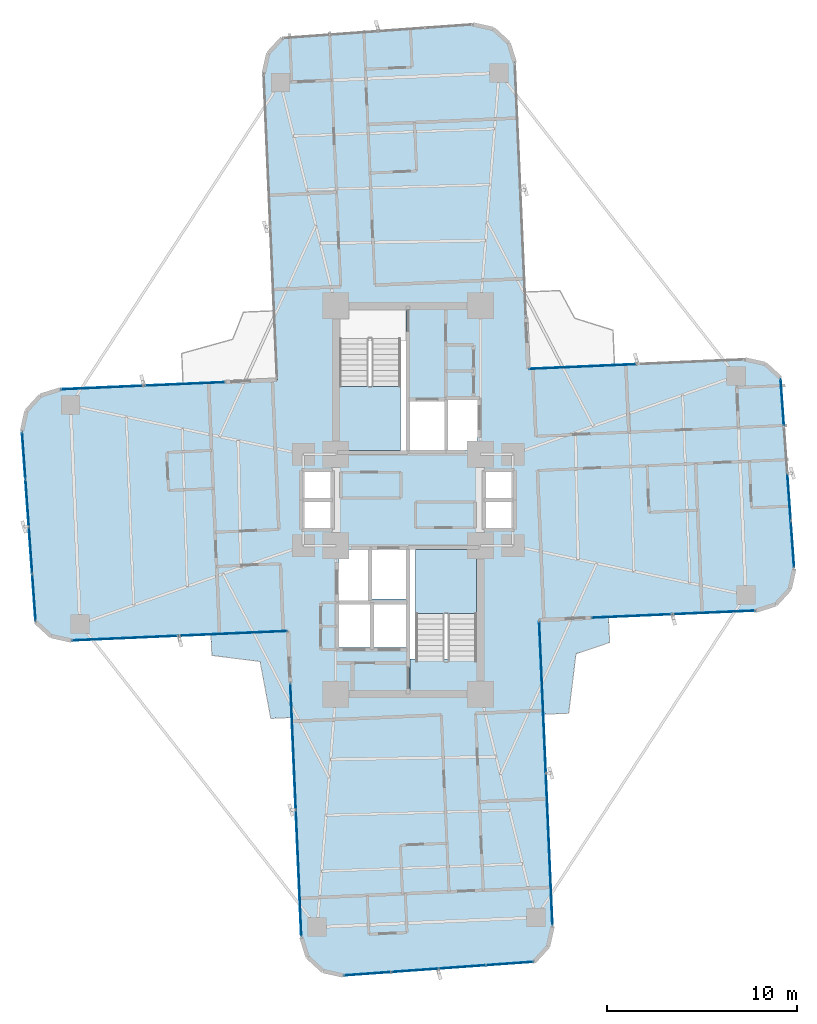
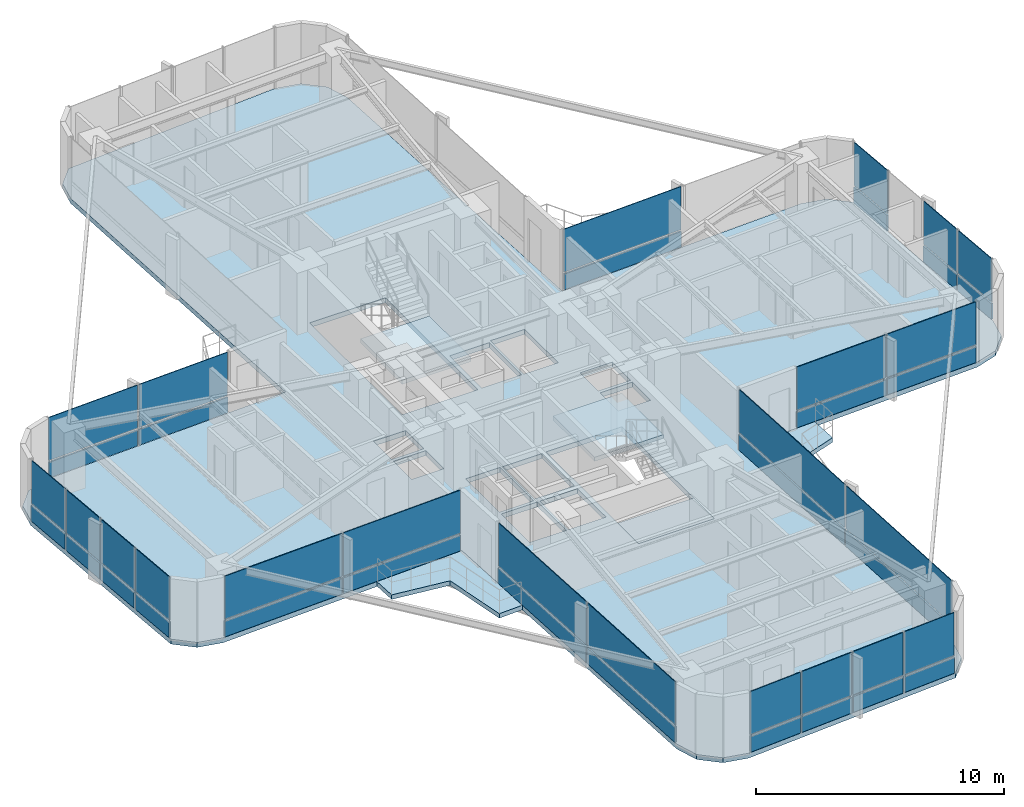
# One storey, part 21 of 27: 44 plates, 6 slabs, 11 elements without a shape of their own.
"""IFC4 building model written with IfcOpenShell, lengths in metres."""

from ifc_helpers import new_model, si_unit, direction, frame, origin, origin_2d, place, context, subcontext, project, spatial, polyline, rectangle, outline, extrude, source, transform, mapped, material, layer, layer_set, type_object, element, aggregate, save


model = new_model("IFC4")

# Units and contexts
model_context = context("Model", 3, precision=1e-05, world=origin(), true_north=direction((0.0, 1.0)))
body_context = subcontext(model_context, "Body", "Model", "MODEL_VIEW")
ifc_project = project(units=[si_unit("LENGTHUNIT", "METRE"), si_unit("AREAUNIT", "SQUARE_METRE"), si_unit("VOLUMEUNIT", "CUBIC_METRE"), si_unit("PLANEANGLEUNIT", "RADIAN"), si_unit("MASSUNIT", "GRAM", prefix="KILO")], contexts=[model_context])

# Site, building, storey
site_placement = place(None, origin())
site = spatial("IfcSite", under=ifc_project, at=site_placement, CompositionType="ELEMENT")
building_placement = place(site_placement, origin())
building = spatial("IfcBuilding", under=site, at=building_placement, Name="Sahyath Konkavel Grand Hotel", CompositionType="ELEMENT")
storey_placement = place(building_placement, frame((0.0, 0.0, 103.60009765625)))
storey = spatial("IfcBuildingStorey", under=building, at=storey_placement, Name="L28", CompositionType="ELEMENT", Elevation=103.60009765625)

# Slabs
ifc_material_1 = material(Name="Concrete C40/50", Category="concrete")
ifc_layer_1 = layer(ifc_material_1, 0.239990234375)
ifc_layer_set_1 = layer_set([ifc_layer_1], Name="Concrete C40/50")
slab_type_1 = type_object("IfcSlabType", Name="SLB-240", PredefinedType="FLOOR", material=ifc_layer_set_1)
slab_1_placement = place(storey_placement, frame((0.0, 0.0, -0.239990234375)))
element("IfcSlab", 1, at=slab_1_placement, inside=storey, type_object=slab_type_1, Name="L28 Structural Floor Slab", PredefinedType="FLOOR", context=body_context, shape_type="SweptSolid", body=[
    extrude(outline(polyline([(6.881591796875, -6.305908203125), (18.270751953125, -5.80859375), (19.3076171875, -5.481689453125), (20.0419921875, -4.68017578125), (20.277099609375, -3.618896484375), (19.5576171875, 6.4091796875), (18.75634765625, 7.1435546875), (17.695068359375, 7.37890625), (6.305908203125, 6.881591796875), (5.603515625, 22.96630859375), (5.276611328125, 24.0029296875), (4.47509765625, 24.7373046875), (3.4140625, 24.97265625), (-6.6142578125, 24.253173828125), (-7.3486328125, 23.451904296875), (-7.583984375, 22.390380859375), (-6.881591796875, 6.305908203125), (-18.270751953125, 5.80859375), (-19.3076171875, 5.481689453125), (-20.0419921875, 4.68017578125), (-20.277099609375, 3.618896484375), (-19.5576171875, -6.4091796875), (-18.75634765625, -7.1435546875), (-17.695068359375, -7.37890625), (-6.305908203125, -6.881591796875), (-5.603515625, -22.96630859375), (-5.276611328125, -24.0029296875), (-4.47509765625, -24.7373046875), (-3.4140625, -24.97265625), (6.6142578125, -24.253173828125), (7.3486328125, -23.451904296875), (7.583984375, -22.390380859375), (6.881591796875, -6.305908203125)]), holes=[polyline([(-3.6201171875, 2.580078125), (-0.10009765625, 2.580078125), (-0.10009765625, 10.02001953125), (-3.6201171875, 10.02001953125), (-3.6201171875, 2.580078125)]), polyline([(0.10009765625, -10.02001953125), (3.6201171875, -10.02001953125), (3.6201171875, -2.580078125), (0.10009765625, -2.580078125), (0.10009765625, -10.02001953125)]), polyline([(0.10009765625, 2.60009765625), (1.949951171875, 2.60009765625), (1.949951171875, 5.199951171875), (0.10009765625, 5.199951171875), (0.10009765625, 2.60009765625)]), polyline([(-1.949951171875, -5.199951171875), (-0.10009765625, -5.199951171875), (-0.10009765625, -2.60009765625), (-1.949951171875, -2.60009765625), (-1.949951171875, -5.199951171875)]), polyline([(2.050048828125, 2.60009765625), (3.64990234375, 2.60009765625), (3.64990234375, 5.300048828125), (2.050048828125, 5.300048828125), (2.050048828125, 2.60009765625)]), polyline([(-3.64990234375, -5.300048828125), (-2.050048828125, -5.300048828125), (-2.050048828125, -2.60009765625), (-3.64990234375, -2.60009765625), (-3.64990234375, -5.300048828125)]), polyline([(-3.64990234375, -7.75), (-1.949951171875, -7.75), (-1.949951171875, -5.449951171875), (-3.64990234375, -5.449951171875), (-3.64990234375, -7.75)]), polyline([(-1.85009765625, -7.75), (-0.10009765625, -7.75), (-0.10009765625, -5.449951171875), (-1.85009765625, -5.449951171875), (-1.85009765625, -7.75)]), polyline([(4.050048828125, 0.080078125), (5.550048828125, 0.080078125), (5.550048828125, 1.5400390625), (4.050048828125, 1.5400390625), (4.050048828125, 0.080078125)]), polyline([(4.050048828125, -1.5400390625), (5.550048828125, -1.5400390625), (5.550048828125, -0.080078125), (4.050048828125, -0.080078125), (4.050048828125, -1.5400390625)]), polyline([(-5.550048828125, 0.080078125), (-4.050048828125, 0.080078125), (-4.050048828125, 1.5400390625), (-5.550048828125, 1.5400390625), (-5.550048828125, 0.080078125)]), polyline([(-5.550048828125, -1.5400390625), (-4.050048828125, -1.5400390625), (-4.050048828125, -0.080078125), (-5.550048828125, -0.080078125), (-5.550048828125, -1.5400390625)])]), origin(), (0.0, 0.0, 1.0), 0.239990234375),
])
ifc_layer_2 = layer(ifc_material_1, 0.219970703125)
ifc_layer_set_2 = layer_set([ifc_layer_2], Name="Concrete C40/50")
slab_type_2 = type_object("IfcSlabType", Name="SLB-BALCONY-220", PredefinedType="FLOOR", material=ifc_layer_set_2)
slab_2_placement = place(storey_placement, frame((0.0, 0.0, -0.22021484375)))
element("IfcSlab", 2, at=slab_2_placement, inside=storey, type_object=slab_type_2, Name="L28 Winter-Garden Balcony SW", PredefinedType="FLOOR", context=body_context, shape_type="SweptSolid", body=[
    extrude(outline(polyline([(-6.305908203125, -6.881591796875), (-10.35498046875, -7.058349609375), (-10.306640625, -8.163330078125), (-7.7734375, -8.483154296875), (-7.21240234375, -11.472412109375), (-6.107421875, -11.42431640625), (-6.305908203125, -6.881591796875)])), origin(), (0.0, 0.0, 1.0), 0.22021484375),
])
slab_3_placement = place(storey_placement, frame((0.0, 0.0, -0.22021484375)))
element("IfcSlab", 3, at=slab_3_placement, inside=storey, type_object=slab_type_2, Name="L28 Winter-Garden Balcony SE", PredefinedType="FLOOR", context=body_context, shape_type="SweptSolid", body=[
    extrude(outline(polyline([(6.881591796875, -6.305908203125), (7.09765625, -11.256103515625), (8.432861328125, -11.19775390625), (8.81689453125, -8.0791015625), (10.581298828125, -7.48193359375), (10.523193359375, -6.146728515625), (6.881591796875, -6.305908203125)])), origin(), (0.0, 0.0, 1.0), 0.22021484375),
])

# Stair, slab
stair_type = type_object("IfcStairType", Name="STR-ST16-335", PredefinedType="HALF_TURN_STAIR", material=ifc_material_1)
stair_1_placement = place(storey_placement, origin())
stair_1 = element("IfcStair", 4, at=stair_1_placement, inside=storey, type_object=stair_type, Name="L28 North Core Smokeproof Exit Stair ST-1", PredefinedType="HALF_TURN_STAIR")
ifc_layer_3 = layer(ifc_material_1, 0.199951171875)
ifc_layer_set_3 = layer_set([ifc_layer_3], Name="Concrete C40/50")
slab_type_3 = type_object("IfcSlabType", Name="SLB-STAIR-LND", PredefinedType="LANDING", material=ifc_layer_set_3)
slab_4_placement = place(storey_placement, frame((0.0, 0.0, 1.474853515625)))
slab_4 = element("IfcSlab", 5, at=slab_4_placement, type_object=slab_type_3, Name="ST-1 landing 1", PredefinedType="LANDING", context=body_context, shape_type="SweptSolid", body=[
    extrude(outline(polyline([(-3.60009765625, 5.9599609375), (-3.60009765625, 2.60009765625), (-0.39990234375, 2.60009765625), (-0.39990234375, 5.9599609375), (-3.60009765625, 5.9599609375)])), origin(), (0.0, 0.0, 1.0), 0.199951171875),
])
aggregate(stair_1, [slab_4])

stair_2_placement = place(storey_placement, origin())
stair_2 = element("IfcStair", 6, at=stair_2_placement, inside=storey, type_object=stair_type, Name="L28 South Core Smokeproof Exit Stair ST-2", PredefinedType="HALF_TURN_STAIR")
slab_5_placement = place(storey_placement, frame((0.0, 0.0, 1.474853515625)))
slab_5 = element("IfcSlab", 7, at=slab_5_placement, type_object=slab_type_3, Name="ST-2 landing 1", PredefinedType="LANDING", context=body_context, shape_type="SweptSolid", body=[
    extrude(outline(polyline([(3.60009765625, -5.9599609375), (3.60009765625, -2.60009765625), (0.39990234375, -2.60009765625), (0.39990234375, -5.9599609375), (3.60009765625, -5.9599609375)])), origin(), (0.0, 0.0, 1.0), 0.199951171875),
])
aggregate(stair_2, [slab_5])

# Slab
slab_6_placement = place(storey_placement, frame((0.0, 0.0, -0.2001953125)))
element("IfcSlab", 8, at=slab_6_placement, inside=storey, type_object=slab_type_3, Name="L28 Stair ST-2 Floor Landing Slab", PredefinedType="LANDING", context=body_context, shape_type="SweptSolid", body=[
    extrude(outline(polyline([(0.10009765625, -10.02001953125), (3.6201171875, -10.02001953125), (3.6201171875, -8.35009765625), (0.10009765625, -8.35009765625), (0.10009765625, -10.02001953125)])), origin(), (0.0, 0.0, 1.0), 0.2001953125),
])

# Curtain wall, plates
ifc_material_2 = material(Name="Anodised Bronze Aluminium & Low-E Glazing", Category="aluminium")
curtain_wall_type = type_object("IfcCurtainWallType", Name="CW-ZONE2", PredefinedType="NOTDEFINED", material=ifc_material_2)
curtain_wall_1_placement = place(storey_placement, origin())
curtain_wall_1 = element("IfcCurtainWall", 9, at=curtain_wall_1_placement, inside=storey, type_object=curtain_wall_type, Name="L28 Unitised Curtain Wall F0", PredefinedType="NOTDEFINED")
ifc_material_3 = material(Name="Warm Buff Sandstone Cladding", Category="masonry")
ifc_layer_4 = layer(ifc_material_3, 0.074951171875)
ifc_layer_set_4 = layer_set([ifc_layer_4], Name="Warm Buff Sandstone Cladding")
plate_type_1 = type_object("IfcPlateType", Name="PNL-SPANDREL-STONE", PredefinedType="SHEET", material=ifc_layer_set_4)
shared_shape_1 = source(origin(), body_context, "Body", "SweptSolid", [
    extrude(rectangle(XDim=4.22998046875, YDim=0.074951171875, at=origin_2d()), origin(), (0.0, 0.0, 1.0), 0.77001953125),
])
plate_1_placement = place(storey_placement, frame((11.77197265625, -6.09228515625, 0.039794921875), z_axis=(0.0, 0.0, 1.0), x_axis=(0.999048982732, 0.043601950678, 0.0)))
plate_1 = element("IfcPlate", 10, at=plate_1_placement, type_object=plate_type_1, Name="L28 Sandstone Relief Spandrel Panel F0-0", PredefinedType="SHEET", context=body_context, shape_type="MappedRepresentation", body=[
    mapped(shared_shape_1, transform((0.0, 0.0, 0.0), scale=1.0)),
])
plate_2_placement = place(storey_placement, frame((16.077880859375, -5.904296875, 0.039794921875), z_axis=(0.0, 0.0, 1.0), x_axis=(0.999048982732, 0.043601950678, 0.0)))
plate_2 = element("IfcPlate", 11, at=plate_2_placement, type_object=plate_type_1, Name="L28 Sandstone Relief Spandrel Panel F0-1", PredefinedType="SHEET", context=body_context, shape_type="MappedRepresentation", body=[
    mapped(shared_shape_1, transform((0.0, 0.0, 0.0), scale=1.0)),
])

curtain_wall_2_placement = place(storey_placement, origin())
curtain_wall_2 = element("IfcCurtainWall", 12, at=curtain_wall_2_placement, inside=storey, type_object=curtain_wall_type, Name="L28 Unitised Curtain Wall F16", PredefinedType="NOTDEFINED")
plate_3_placement = place(storey_placement, frame((-11.77197265625, 6.09228515625, 0.039794921875), z_axis=(0.0, 0.0, 1.0), x_axis=(-0.999048982732, -0.043601950678, 0.0)))
plate_3 = element("IfcPlate", 13, at=plate_3_placement, type_object=plate_type_1, Name="L28 Sandstone Relief Spandrel Panel F16-0", PredefinedType="SHEET", context=body_context, shape_type="MappedRepresentation", body=[
    mapped(shared_shape_1, transform((0.0, 0.0, 0.0), scale=1.0)),
])
plate_4_placement = place(storey_placement, frame((-16.077880859375, 5.904296875, 0.039794921875), z_axis=(0.0, 0.0, 1.0), x_axis=(-0.999048982732, -0.043601950678, 0.0)))
plate_4 = element("IfcPlate", 14, at=plate_4_placement, type_object=plate_type_1, Name="L28 Sandstone Relief Spandrel Panel F16-1", PredefinedType="SHEET", context=body_context, shape_type="MappedRepresentation", body=[
    mapped(shared_shape_1, transform((0.0, 0.0, 0.0), scale=1.0)),
])

curtain_wall_3_placement = place(storey_placement, origin())
curtain_wall_3 = element("IfcCurtainWall", 15, at=curtain_wall_3_placement, inside=storey, type_object=curtain_wall_type, Name="L28 Unitised Curtain Wall F4", PredefinedType="NOTDEFINED")
shared_shape_2 = source(origin(), body_context, "Body", "SweptSolid", [
    extrude(rectangle(XDim=2.41357421875, YDim=0.074951171875, at=origin_2d()), origin(), (0.0, 0.0, 1.0), 0.77001953125),
])
plate_5_placement = place(storey_placement, frame((20.18505859375, -2.335693359375, 0.039794921875), z_axis=(0.0, 0.0, 1.0), x_axis=(-0.071567078661, 0.997435789037, 0.0)))
plate_5 = element("IfcPlate", 16, at=plate_5_placement, type_object=plate_type_1, Name="L28 Sandstone Relief Spandrel Panel F4-0", PredefinedType="SHEET", context=body_context, shape_type="MappedRepresentation", body=[
    mapped(shared_shape_2, transform((0.0, 0.0, 0.0), scale=1.0)),
])
plate_6_placement = place(storey_placement, frame((20.006591796875, 0.151611328125, 0.039794921875), z_axis=(0.0, 0.0, 1.0), x_axis=(-0.071567078661, 0.997435789037, 0.0)))
plate_6 = element("IfcPlate", 17, at=plate_6_placement, type_object=plate_type_1, Name="L28 Sandstone Relief Spandrel Panel F4-1", PredefinedType="SHEET", context=body_context, shape_type="MappedRepresentation", body=[
    mapped(shared_shape_2, transform((0.0, 0.0, 0.0), scale=1.0)),
])
plate_7_placement = place(storey_placement, frame((19.64990234375, 5.125732421875, 0.039794921875), z_axis=(0.0, 0.0, 1.0), x_axis=(-0.071567078661, 0.997435789037, 0.0)))
plate_7 = element("IfcPlate", 18, at=plate_7_placement, type_object=plate_type_1, Name="L28 Sandstone Relief Spandrel Panel F4-3", PredefinedType="SHEET", context=body_context, shape_type="MappedRepresentation", body=[
    mapped(shared_shape_2, transform((0.0, 0.0, 0.0), scale=1.0)),
])

curtain_wall_4_placement = place(storey_placement, origin())
curtain_wall_4 = element("IfcCurtainWall", 19, at=curtain_wall_4_placement, inside=storey, type_object=curtain_wall_type, Name="L28 Unitised Curtain Wall F20", PredefinedType="NOTDEFINED")
plate_8_placement = place(storey_placement, frame((-20.18505859375, 2.335693359375, 0.039794921875), z_axis=(0.0, 0.0, 1.0), x_axis=(0.071567078661, -0.997435789037, 0.0)))
plate_8 = element("IfcPlate", 20, at=plate_8_placement, type_object=plate_type_1, Name="L28 Sandstone Relief Spandrel Panel F20-0", PredefinedType="SHEET", context=body_context, shape_type="MappedRepresentation", body=[
    mapped(shared_shape_2, transform((0.0, 0.0, 0.0), scale=1.0)),
])
plate_9_placement = place(storey_placement, frame((-20.006591796875, -0.151611328125, 0.039794921875), z_axis=(0.0, 0.0, 1.0), x_axis=(0.071567078661, -0.997435789037, 0.0)))
plate_9 = element("IfcPlate", 21, at=plate_9_placement, type_object=plate_type_1, Name="L28 Sandstone Relief Spandrel Panel F20-1", PredefinedType="SHEET", context=body_context, shape_type="MappedRepresentation", body=[
    mapped(shared_shape_2, transform((0.0, 0.0, 0.0), scale=1.0)),
])
plate_10_placement = place(storey_placement, frame((-19.828369140625, -2.638671875, 0.039794921875), z_axis=(0.0, 0.0, 1.0), x_axis=(0.071567078661, -0.997435789037, 0.0)))
plate_10 = element("IfcPlate", 22, at=plate_10_placement, type_object=plate_type_1, Name="L28 Sandstone Relief Spandrel Panel F20-2", PredefinedType="SHEET", context=body_context, shape_type="MappedRepresentation", body=[
    mapped(shared_shape_2, transform((0.0, 0.0, 0.0), scale=1.0)),
])
plate_11_placement = place(storey_placement, frame((-19.64990234375, -5.125732421875, 0.039794921875), z_axis=(0.0, 0.0, 1.0), x_axis=(0.071567078661, -0.997435789037, 0.0)))
plate_11 = element("IfcPlate", 23, at=plate_11_placement, type_object=plate_type_1, Name="L28 Sandstone Relief Spandrel Panel F20-3", PredefinedType="SHEET", context=body_context, shape_type="MappedRepresentation", body=[
    mapped(shared_shape_2, transform((0.0, 0.0, 0.0), scale=1.0)),
])

curtain_wall_5_placement = place(storey_placement, origin())
curtain_wall_5 = element("IfcCurtainWall", 24, at=curtain_wall_5_placement, inside=storey, type_object=curtain_wall_type, Name="L28 Unitised Curtain Wall F28", PredefinedType="NOTDEFINED")
plate_12_placement = place(storey_placement, frame((-2.130615234375, -24.880615234375, 0.039794921875), z_axis=(0.0, 0.0, 1.0), x_axis=(0.997435789037, 0.071567078661, 0.0)))
plate_12 = element("IfcPlate", 25, at=plate_12_placement, type_object=plate_type_1, Name="L28 Sandstone Relief Spandrel Panel F28-0", PredefinedType="SHEET", context=body_context, shape_type="MappedRepresentation", body=[
    mapped(shared_shape_2, transform((0.0, 0.0, 0.0), scale=1.0)),
])
plate_13_placement = place(storey_placement, frame((0.356689453125, -24.7021484375, 0.039794921875), z_axis=(0.0, 0.0, 1.0), x_axis=(0.997435789037, 0.071567078661, 0.0)))
plate_13 = element("IfcPlate", 26, at=plate_13_placement, type_object=plate_type_1, Name="L28 Sandstone Relief Spandrel Panel F28-1", PredefinedType="SHEET", context=body_context, shape_type="MappedRepresentation", body=[
    mapped(shared_shape_2, transform((0.0, 0.0, 0.0), scale=1.0)),
])
plate_14_placement = place(storey_placement, frame((2.84375, -24.523681640625, 0.039794921875), z_axis=(0.0, 0.0, 1.0), x_axis=(0.997435789037, 0.071567078661, 0.0)))
plate_14 = element("IfcPlate", 27, at=plate_14_placement, type_object=plate_type_1, Name="L28 Sandstone Relief Spandrel Panel F28-2", PredefinedType="SHEET", context=body_context, shape_type="MappedRepresentation", body=[
    mapped(shared_shape_2, transform((0.0, 0.0, 0.0), scale=1.0)),
])
plate_15_placement = place(storey_placement, frame((5.330810546875, -24.34521484375, 0.039794921875), z_axis=(0.0, 0.0, 1.0), x_axis=(0.997435789037, 0.071567078661, 0.0)))
plate_15 = element("IfcPlate", 28, at=plate_15_placement, type_object=plate_type_1, Name="L28 Sandstone Relief Spandrel Panel F28-3", PredefinedType="SHEET", context=body_context, shape_type="MappedRepresentation", body=[
    mapped(shared_shape_2, transform((0.0, 0.0, 0.0), scale=1.0)),
])

# Curtain wall, plate
curtain_wall_6_placement = place(storey_placement, origin())
curtain_wall_6 = element("IfcCurtainWall", 29, at=curtain_wall_6_placement, inside=storey, type_object=curtain_wall_type, Name="L28 Unitised Curtain Wall F7", PredefinedType="NOTDEFINED")
shared_shape_3 = source(origin(), body_context, "Body", "SweptSolid", [
    extrude(rectangle(XDim=5.580078125, YDim=0.074951171875, at=origin_2d()), origin(), (0.0, 0.0, 1.0), 0.77001953125),
])
plate_16_placement = place(storey_placement, frame((9.173095703125, 7.0068359375, 0.039794921875), z_axis=(0.0, 0.0, 1.0), x_axis=(-0.999048221582, -0.043619387365, 0.0)))
plate_16 = element("IfcPlate", 30, at=plate_16_placement, type_object=plate_type_1, Name="L28 Sandstone Relief Spandrel Panel F7-1", PredefinedType="SHEET", context=body_context, shape_type="MappedRepresentation", body=[
    mapped(shared_shape_3, transform((0.0, 0.0, 0.0), scale=1.0)),
])

# Curtain wall, plates
curtain_wall_7_placement = place(storey_placement, origin())
curtain_wall_7 = element("IfcCurtainWall", 31, at=curtain_wall_7_placement, inside=storey, type_object=curtain_wall_type, Name="L28 Unitised Curtain Wall F23", PredefinedType="NOTDEFINED")
plate_17_placement = place(storey_placement, frame((-14.82763671875, -7.25390625, 0.039794921875), z_axis=(0.0, 0.0, 1.0), x_axis=(0.999048221582, 0.043619387365, 0.0)))
plate_17 = element("IfcPlate", 32, at=plate_17_placement, type_object=plate_type_1, Name="L28 Sandstone Relief Spandrel Panel F23-0", PredefinedType="SHEET", context=body_context, shape_type="MappedRepresentation", body=[
    mapped(shared_shape_3, transform((0.0, 0.0, 0.0), scale=1.0)),
])
plate_18_placement = place(storey_placement, frame((-9.173095703125, -7.0068359375, 0.039794921875), z_axis=(0.0, 0.0, 1.0), x_axis=(0.999048221582, 0.043619387365, 0.0)))
plate_18 = element("IfcPlate", 33, at=plate_18_placement, type_object=plate_type_1, Name="L28 Sandstone Relief Spandrel Panel F23-1", PredefinedType="SHEET", context=body_context, shape_type="MappedRepresentation", body=[
    mapped(shared_shape_3, transform((0.0, 0.0, 0.0), scale=1.0)),
])

curtain_wall_8_placement = place(storey_placement, origin())
curtain_wall_8 = element("IfcCurtainWall", 34, at=curtain_wall_8_placement, inside=storey, type_object=curtain_wall_type, Name="L28 Unitised Curtain Wall F24", PredefinedType="NOTDEFINED")
shared_shape_4 = source(origin(), body_context, "Body", "SweptSolid", [
    extrude(rectangle(XDim=6.580078125, YDim=0.074951171875, at=origin_2d()), origin(), (0.0, 0.0, 1.0), 0.77001953125),
])
plate_19_placement = place(storey_placement, frame((-6.041015625, -12.94580078125, 0.039794921875), z_axis=(0.0, 0.0, 1.0), x_axis=(0.043619387365, -0.999048221582, 0.0)))
plate_19 = element("IfcPlate", 35, at=plate_19_placement, type_object=plate_type_1, Name="L28 Sandstone Relief Spandrel Panel F24-0", PredefinedType="SHEET", context=body_context, shape_type="MappedRepresentation", body=[
    mapped(shared_shape_4, transform((0.0, 0.0, 0.0), scale=1.0)),
])
plate_20_placement = place(storey_placement, frame((-5.75048828125, -19.599609375, 0.039794921875), z_axis=(0.0, 0.0, 1.0), x_axis=(0.043619387365, -0.999048221582, 0.0)))
plate_20 = element("IfcPlate", 36, at=plate_20_placement, type_object=plate_type_1, Name="L28 Sandstone Relief Spandrel Panel F24-1", PredefinedType="SHEET", context=body_context, shape_type="MappedRepresentation", body=[
    mapped(shared_shape_4, transform((0.0, 0.0, 0.0), scale=1.0)),
])

curtain_wall_9_placement = place(storey_placement, origin())
curtain_wall_9 = element("IfcCurtainWall", 37, at=curtain_wall_9_placement, inside=storey, type_object=curtain_wall_type, Name="L28 Unitised Curtain Wall F31", PredefinedType="NOTDEFINED")
shared_shape_5 = source(origin(), body_context, "Body", "SweptSolid", [
    extrude(rectangle(XDim=7.929931640625, YDim=0.074951171875, at=origin_2d()), origin(), (0.0, 0.0, 1.0), 0.77001953125),
])
plate_21_placement = place(storey_placement, frame((7.407470703125, -18.349365234375, 0.039794921875), z_axis=(0.0, 0.0, 1.0), x_axis=(-0.043619387365, 0.999048221582, 0.0)))
plate_21 = element("IfcPlate", 38, at=plate_21_placement, type_object=plate_type_1, Name="L28 Sandstone Relief Spandrel Panel F31-0", PredefinedType="SHEET", context=body_context, shape_type="MappedRepresentation", body=[
    mapped(shared_shape_5, transform((0.0, 0.0, 0.0), scale=1.0)),
])
plate_22_placement = place(storey_placement, frame((7.05810546875, -10.346923828125, 0.039794921875), z_axis=(0.0, 0.0, 1.0), x_axis=(-0.043619387365, 0.999048221582, 0.0)))
plate_22 = element("IfcPlate", 39, at=plate_22_placement, type_object=plate_type_1, Name="L28 Sandstone Relief Spandrel Panel F31-1", PredefinedType="SHEET", context=body_context, shape_type="MappedRepresentation", body=[
    mapped(shared_shape_5, transform((0.0, 0.0, 0.0), scale=1.0)),
])

# Plate
ifc_material_4 = material(Name="Low-E Solar Control Double Glazing", Category="glass")
ifc_layer_5 = layer(ifc_material_4, 0.035888671875)
ifc_layer_set_5 = layer_set([ifc_layer_5], Name="Low-E Solar Control Double Glazing")
plate_type_2 = type_object("IfcPlateType", Name="PNL-VISION-LOWE", PredefinedType="CURTAIN_PANEL", material=ifc_layer_set_5)
shared_shape_6 = source(origin(), body_context, "Body", "SweptSolid", [
    extrude(rectangle(XDim=4.22998046875, YDim=0.035888671875, at=origin_2d()), origin(), (0.0, 0.0, 1.0), 2.1201171875),
])
plate_23_placement = place(storey_placement, frame((11.77197265625, -6.09228515625, 0.889892578125), z_axis=(0.0, 0.0, 1.0), x_axis=(0.999048982732, 0.043601950678, 0.0)))
plate_23 = element("IfcPlate", 40, at=plate_23_placement, type_object=plate_type_2, Name="L28 Low-E Vision Glazing Panel F0-0", PredefinedType="CURTAIN_PANEL", context=body_context, shape_type="MappedRepresentation", body=[
    mapped(shared_shape_6, transform((0.0, 0.0, 0.0), scale=1.0)),
])

plate_24_placement = place(storey_placement, frame((16.077880859375, -5.904296875, 0.889892578125), z_axis=(0.0, 0.0, 1.0), x_axis=(0.999048982732, 0.043601950678, 0.0)))
plate_24 = element("IfcPlate", 41, at=plate_24_placement, type_object=plate_type_2, Name="L28 Low-E Vision Glazing Panel F0-1", PredefinedType="CURTAIN_PANEL", context=body_context, shape_type="MappedRepresentation", body=[
    mapped(shared_shape_6, transform((0.0, 0.0, 0.0), scale=1.0)),
])

aggregate(curtain_wall_1, [plate_1, plate_23, plate_2, plate_24])

plate_25_placement = place(storey_placement, frame((-11.77197265625, 6.09228515625, 0.889892578125), z_axis=(0.0, 0.0, 1.0), x_axis=(-0.999048982732, -0.043601950678, 0.0)))
plate_25 = element("IfcPlate", 42, at=plate_25_placement, type_object=plate_type_2, Name="L28 Low-E Vision Glazing Panel F16-0", PredefinedType="CURTAIN_PANEL", context=body_context, shape_type="MappedRepresentation", body=[
    mapped(shared_shape_6, transform((0.0, 0.0, 0.0), scale=1.0)),
])

plate_26_placement = place(storey_placement, frame((-16.077880859375, 5.904296875, 0.889892578125), z_axis=(0.0, 0.0, 1.0), x_axis=(-0.999048982732, -0.043601950678, 0.0)))
plate_26 = element("IfcPlate", 43, at=plate_26_placement, type_object=plate_type_2, Name="L28 Low-E Vision Glazing Panel F16-1", PredefinedType="CURTAIN_PANEL", context=body_context, shape_type="MappedRepresentation", body=[
    mapped(shared_shape_6, transform((0.0, 0.0, 0.0), scale=1.0)),
])

aggregate(curtain_wall_2, [plate_3, plate_25, plate_4, plate_26])

shared_shape_7 = source(origin(), body_context, "Body", "SweptSolid", [
    extrude(rectangle(XDim=2.41357421875, YDim=0.035888671875, at=origin_2d()), origin(), (0.0, 0.0, 1.0), 2.1201171875),
])
plate_27_placement = place(storey_placement, frame((20.18505859375, -2.335693359375, 0.889892578125), z_axis=(0.0, 0.0, 1.0), x_axis=(-0.071567078661, 0.997435789037, 0.0)))
plate_27 = element("IfcPlate", 44, at=plate_27_placement, type_object=plate_type_2, Name="L28 Low-E Vision Glazing Panel F4-0", PredefinedType="CURTAIN_PANEL", context=body_context, shape_type="MappedRepresentation", body=[
    mapped(shared_shape_7, transform((0.0, 0.0, 0.0), scale=1.0)),
])

plate_28_placement = place(storey_placement, frame((20.006591796875, 0.151611328125, 0.889892578125), z_axis=(0.0, 0.0, 1.0), x_axis=(-0.071567078661, 0.997435789037, 0.0)))
plate_28 = element("IfcPlate", 45, at=plate_28_placement, type_object=plate_type_2, Name="L28 Low-E Vision Glazing Panel F4-1", PredefinedType="CURTAIN_PANEL", context=body_context, shape_type="MappedRepresentation", body=[
    mapped(shared_shape_7, transform((0.0, 0.0, 0.0), scale=1.0)),
])

plate_29_placement = place(storey_placement, frame((19.64990234375, 5.125732421875, 0.889892578125), z_axis=(0.0, 0.0, 1.0), x_axis=(-0.071567078661, 0.997435789037, 0.0)))
plate_29 = element("IfcPlate", 46, at=plate_29_placement, type_object=plate_type_2, Name="L28 Low-E Vision Glazing Panel F4-3", PredefinedType="CURTAIN_PANEL", context=body_context, shape_type="MappedRepresentation", body=[
    mapped(shared_shape_7, transform((0.0, 0.0, 0.0), scale=1.0)),
])

aggregate(curtain_wall_3, [plate_5, plate_27, plate_6, plate_28, plate_7, plate_29])

plate_30_placement = place(storey_placement, frame((-20.18505859375, 2.335693359375, 0.889892578125), z_axis=(0.0, 0.0, 1.0), x_axis=(0.071567078661, -0.997435789037, 0.0)))
plate_30 = element("IfcPlate", 47, at=plate_30_placement, type_object=plate_type_2, Name="L28 Low-E Vision Glazing Panel F20-0", PredefinedType="CURTAIN_PANEL", context=body_context, shape_type="MappedRepresentation", body=[
    mapped(shared_shape_7, transform((0.0, 0.0, 0.0), scale=1.0)),
])

plate_31_placement = place(storey_placement, frame((-20.006591796875, -0.151611328125, 0.889892578125), z_axis=(0.0, 0.0, 1.0), x_axis=(0.071567078661, -0.997435789037, 0.0)))
plate_31 = element("IfcPlate", 48, at=plate_31_placement, type_object=plate_type_2, Name="L28 Low-E Vision Glazing Panel F20-1", PredefinedType="CURTAIN_PANEL", context=body_context, shape_type="MappedRepresentation", body=[
    mapped(shared_shape_7, transform((0.0, 0.0, 0.0), scale=1.0)),
])

plate_32_placement = place(storey_placement, frame((-19.828369140625, -2.638671875, 0.889892578125), z_axis=(0.0, 0.0, 1.0), x_axis=(0.071567078661, -0.997435789037, 0.0)))
plate_32 = element("IfcPlate", 49, at=plate_32_placement, type_object=plate_type_2, Name="L28 Low-E Vision Glazing Panel F20-2", PredefinedType="CURTAIN_PANEL", context=body_context, shape_type="MappedRepresentation", body=[
    mapped(shared_shape_7, transform((0.0, 0.0, 0.0), scale=1.0)),
])

plate_33_placement = place(storey_placement, frame((-19.64990234375, -5.125732421875, 0.889892578125), z_axis=(0.0, 0.0, 1.0), x_axis=(0.071567078661, -0.997435789037, 0.0)))
plate_33 = element("IfcPlate", 50, at=plate_33_placement, type_object=plate_type_2, Name="L28 Low-E Vision Glazing Panel F20-3", PredefinedType="CURTAIN_PANEL", context=body_context, shape_type="MappedRepresentation", body=[
    mapped(shared_shape_7, transform((0.0, 0.0, 0.0), scale=1.0)),
])

aggregate(curtain_wall_4, [plate_8, plate_30, plate_9, plate_31, plate_10, plate_32, plate_11, plate_33])

plate_34_placement = place(storey_placement, frame((-2.130615234375, -24.880615234375, 0.889892578125), z_axis=(0.0, 0.0, 1.0), x_axis=(0.997435789037, 0.071567078661, 0.0)))
plate_34 = element("IfcPlate", 51, at=plate_34_placement, type_object=plate_type_2, Name="L28 Low-E Vision Glazing Panel F28-0", PredefinedType="CURTAIN_PANEL", context=body_context, shape_type="MappedRepresentation", body=[
    mapped(shared_shape_7, transform((0.0, 0.0, 0.0), scale=1.0)),
])

plate_35_placement = place(storey_placement, frame((0.356689453125, -24.7021484375, 0.889892578125), z_axis=(0.0, 0.0, 1.0), x_axis=(0.997435789037, 0.071567078661, 0.0)))
plate_35 = element("IfcPlate", 52, at=plate_35_placement, type_object=plate_type_2, Name="L28 Low-E Vision Glazing Panel F28-1", PredefinedType="CURTAIN_PANEL", context=body_context, shape_type="MappedRepresentation", body=[
    mapped(shared_shape_7, transform((0.0, 0.0, 0.0), scale=1.0)),
])

plate_36_placement = place(storey_placement, frame((2.84375, -24.523681640625, 0.889892578125), z_axis=(0.0, 0.0, 1.0), x_axis=(0.997435789037, 0.071567078661, 0.0)))
plate_36 = element("IfcPlate", 53, at=plate_36_placement, type_object=plate_type_2, Name="L28 Low-E Vision Glazing Panel F28-2", PredefinedType="CURTAIN_PANEL", context=body_context, shape_type="MappedRepresentation", body=[
    mapped(shared_shape_7, transform((0.0, 0.0, 0.0), scale=1.0)),
])

plate_37_placement = place(storey_placement, frame((5.330810546875, -24.34521484375, 0.889892578125), z_axis=(0.0, 0.0, 1.0), x_axis=(0.997435789037, 0.071567078661, 0.0)))
plate_37 = element("IfcPlate", 54, at=plate_37_placement, type_object=plate_type_2, Name="L28 Low-E Vision Glazing Panel F28-3", PredefinedType="CURTAIN_PANEL", context=body_context, shape_type="MappedRepresentation", body=[
    mapped(shared_shape_7, transform((0.0, 0.0, 0.0), scale=1.0)),
])

aggregate(curtain_wall_5, [plate_12, plate_34, plate_13, plate_35, plate_14, plate_36, plate_15, plate_37])

shared_shape_8 = source(origin(), body_context, "Body", "SweptSolid", [
    extrude(rectangle(XDim=5.580078125, YDim=0.035888671875, at=origin_2d()), origin(), (0.0, 0.0, 1.0), 2.1201171875),
])
plate_38_placement = place(storey_placement, frame((9.173095703125, 7.0068359375, 0.889892578125), z_axis=(0.0, 0.0, 1.0), x_axis=(-0.999048221582, -0.043619387365, 0.0)))
plate_38 = element("IfcPlate", 55, at=plate_38_placement, type_object=plate_type_2, Name="L28 Low-E Vision Glazing Panel F7-1", PredefinedType="CURTAIN_PANEL", context=body_context, shape_type="MappedRepresentation", body=[
    mapped(shared_shape_8, transform((0.0, 0.0, 0.0), scale=1.0)),
])

aggregate(curtain_wall_6, [plate_16, plate_38])

plate_39_placement = place(storey_placement, frame((-14.82763671875, -7.25390625, 0.889892578125), z_axis=(0.0, 0.0, 1.0), x_axis=(0.999048221582, 0.043619387365, 0.0)))
plate_39 = element("IfcPlate", 56, at=plate_39_placement, type_object=plate_type_2, Name="L28 Low-E Vision Glazing Panel F23-0", PredefinedType="CURTAIN_PANEL", context=body_context, shape_type="MappedRepresentation", body=[
    mapped(shared_shape_8, transform((0.0, 0.0, 0.0), scale=1.0)),
])

plate_40_placement = place(storey_placement, frame((-9.173095703125, -7.0068359375, 0.889892578125), z_axis=(0.0, 0.0, 1.0), x_axis=(0.999048221582, 0.043619387365, 0.0)))
plate_40 = element("IfcPlate", 57, at=plate_40_placement, type_object=plate_type_2, Name="L28 Low-E Vision Glazing Panel F23-1", PredefinedType="CURTAIN_PANEL", context=body_context, shape_type="MappedRepresentation", body=[
    mapped(shared_shape_8, transform((0.0, 0.0, 0.0), scale=1.0)),
])

aggregate(curtain_wall_7, [plate_17, plate_39, plate_18, plate_40])

shared_shape_9 = source(origin(), body_context, "Body", "SweptSolid", [
    extrude(rectangle(XDim=6.580078125, YDim=0.035888671875, at=origin_2d()), origin(), (0.0, 0.0, 1.0), 2.1201171875),
])
plate_41_placement = place(storey_placement, frame((-6.041015625, -12.94580078125, 0.889892578125), z_axis=(0.0, 0.0, 1.0), x_axis=(0.043619387365, -0.999048221582, 0.0)))
plate_41 = element("IfcPlate", 58, at=plate_41_placement, type_object=plate_type_2, Name="L28 Low-E Vision Glazing Panel F24-0", PredefinedType="CURTAIN_PANEL", context=body_context, shape_type="MappedRepresentation", body=[
    mapped(shared_shape_9, transform((0.0, 0.0, 0.0), scale=1.0)),
])

plate_42_placement = place(storey_placement, frame((-5.75048828125, -19.599609375, 0.889892578125), z_axis=(0.0, 0.0, 1.0), x_axis=(0.043619387365, -0.999048221582, 0.0)))
plate_42 = element("IfcPlate", 59, at=plate_42_placement, type_object=plate_type_2, Name="L28 Low-E Vision Glazing Panel F24-1", PredefinedType="CURTAIN_PANEL", context=body_context, shape_type="MappedRepresentation", body=[
    mapped(shared_shape_9, transform((0.0, 0.0, 0.0), scale=1.0)),
])

aggregate(curtain_wall_8, [plate_19, plate_41, plate_20, plate_42])

shared_shape_10 = source(origin(), body_context, "Body", "SweptSolid", [
    extrude(rectangle(XDim=7.929931640625, YDim=0.035888671875, at=origin_2d()), origin(), (0.0, 0.0, 1.0), 2.1201171875),
])
plate_43_placement = place(storey_placement, frame((7.407470703125, -18.349365234375, 0.889892578125), z_axis=(0.0, 0.0, 1.0), x_axis=(-0.043619387365, 0.999048221582, 0.0)))
plate_43 = element("IfcPlate", 60, at=plate_43_placement, type_object=plate_type_2, Name="L28 Low-E Vision Glazing Panel F31-0", PredefinedType="CURTAIN_PANEL", context=body_context, shape_type="MappedRepresentation", body=[
    mapped(shared_shape_10, transform((0.0, 0.0, 0.0), scale=1.0)),
])

plate_44_placement = place(storey_placement, frame((7.05810546875, -10.346923828125, 0.889892578125), z_axis=(0.0, 0.0, 1.0), x_axis=(-0.043619387365, 0.999048221582, 0.0)))
plate_44 = element("IfcPlate", 61, at=plate_44_placement, type_object=plate_type_2, Name="L28 Low-E Vision Glazing Panel F31-1", PredefinedType="CURTAIN_PANEL", context=body_context, shape_type="MappedRepresentation", body=[
    mapped(shared_shape_10, transform((0.0, 0.0, 0.0), scale=1.0)),
])

aggregate(curtain_wall_9, [plate_21, plate_43, plate_22, plate_44])

save(model, "model.ifc")
